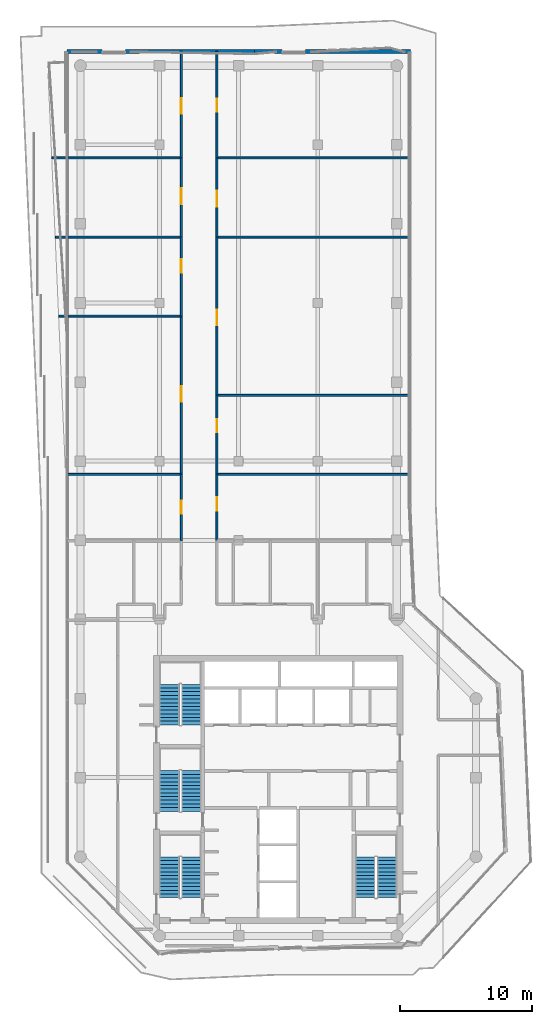
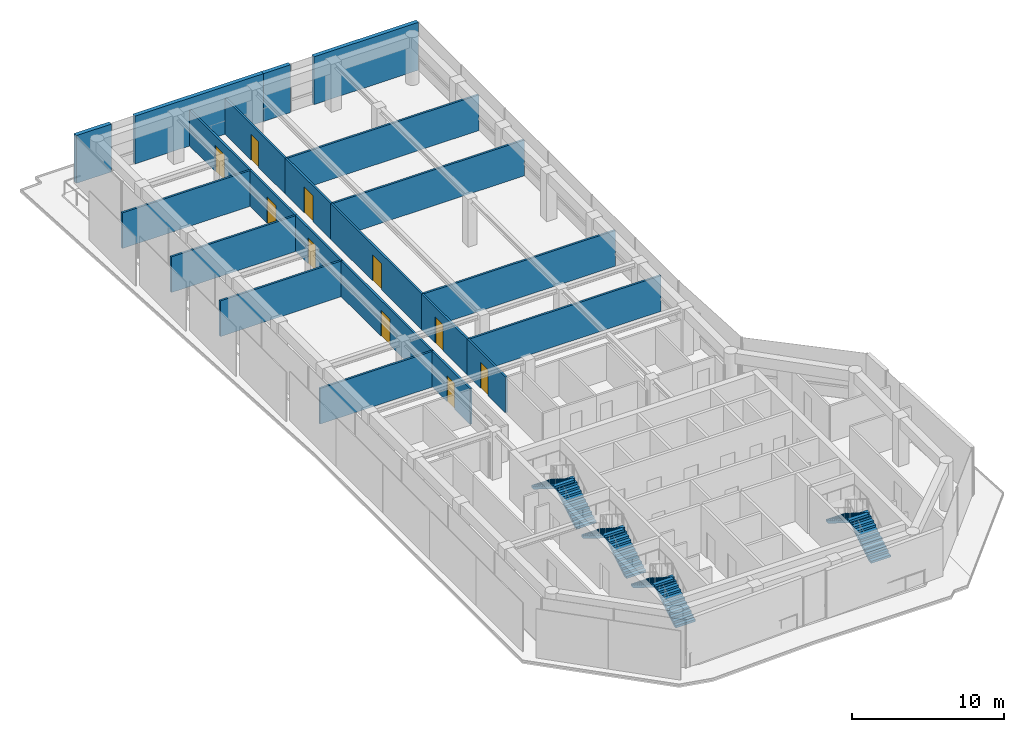
# One storey, part 19 of 21: 22 walls, 10 doors, 8 stair flights, 10 openings, 4 elements without a shape of their own.
"""IFC4 building model written with IfcOpenShell, lengths in metres."""

from ifc_helpers import new_model, si_unit, direction, frame, frame_2d, origin, place, context, subcontext, project, spatial, polyline, rectangle, outline, extrude, material, layer, layer_set, type_object, element, fill, aggregate, save


model = new_model("IFC4")

# Units and contexts
model_context = context("Model", 3, precision=1e-05, world=origin(), true_north=direction((0.0, 1.0)))
body_context = subcontext(model_context, "Body", "Model", "MODEL_VIEW")
ifc_project = project(units=[si_unit("LENGTHUNIT", "METRE"), si_unit("AREAUNIT", "SQUARE_METRE"), si_unit("VOLUMEUNIT", "CUBIC_METRE"), si_unit("PLANEANGLEUNIT", "RADIAN"), si_unit("MASSUNIT", "GRAM", prefix="KILO")], contexts=[model_context])

# Site, building, storey
site_placement = place(None, origin())
site = spatial("IfcSite", under=ifc_project, at=site_placement, CompositionType="ELEMENT")
building_placement = place(site_placement, origin())
building = spatial("IfcBuilding", under=site, at=building_placement, Name="Welwitschia Terrace Campus", CompositionType="ELEMENT")
storey_placement = place(building_placement, frame((0.0, 0.0, 218.0)))
storey = spatial("IfcBuildingStorey", under=building, at=storey_placement, Name="L48", CompositionType="ELEMENT", Elevation=218.0)

# Walls
ifc_material_1 = material(Name="Gypsum board on steel studs", Category="steel")
ifc_layer_1 = layer(ifc_material_1, 0.14990234375)
ifc_layer_set_1 = layer_set([ifc_layer_1], Name="Gypsum board on steel studs")
wall_type_1 = type_object("IfcWallType", Name="Corridor partition 150 EI 30", PredefinedType="PARTITIONING", material=ifc_layer_set_1)
wall_1_placement = place(storey_placement, frame((-2.159912109375, 63.0, 0.0), z_axis=(0.0, 0.0, 1.0), x_axis=(1.0, 0.0, 0.0)))
element("IfcWall", 1, at=wall_1_placement, inside=storey, type_object=wall_type_1, Name="Partition", PredefinedType="PARTITIONING", context=body_context, shape_type="SweptSolid", body=[
    extrude(rectangle(XDim=9.809814453125, YDim=0.14990234375, at=frame_2d((4.90478515625, 0.0))), origin(), (0.0, 0.0, 1.0), 2.8798828125),
])
wall_2_placement = place(storey_placement, frame((-1.889892578125, 57.0, 0.0), z_axis=(0.0, 0.0, 1.0), x_axis=(1.0, 0.0, 0.0)))
element("IfcWall", 2, at=wall_2_placement, inside=storey, type_object=wall_type_1, Name="Partition", PredefinedType="PARTITIONING", context=body_context, shape_type="SweptSolid", body=[
    extrude(rectangle(XDim=9.539794921875, YDim=0.14990234375, at=frame_2d((4.77001953125, 0.0))), origin(), (0.0, 0.0, 1.0), 2.8798828125),
])
wall_3_placement = place(storey_placement, frame((-1.6298828125, 51.0, 0.0), z_axis=(0.0, 0.0, 1.0), x_axis=(1.0, 0.0, 0.0)))
element("IfcWall", 3, at=wall_3_placement, inside=storey, type_object=wall_type_1, Name="Partition", PredefinedType="PARTITIONING", context=body_context, shape_type="SweptSolid", body=[
    extrude(rectangle(XDim=9.27978515625, YDim=0.14990234375, at=frame_2d((4.639892578125, 0.0))), origin(), (0.0, 0.0, 1.0), 2.8798828125),
])
wall_4_placement = place(storey_placement, frame((-0.969970703125, 39.0, 0.0), z_axis=(0.0, 0.0, 1.0), x_axis=(1.0, 0.0, 0.0)))
element("IfcWall", 4, at=wall_4_placement, inside=storey, type_object=wall_type_1, Name="Partition", PredefinedType="PARTITIONING", context=body_context, shape_type="SweptSolid", body=[
    extrude(rectangle(XDim=8.619873046875, YDim=0.14990234375, at=frame_2d((4.31005859375, 0.0))), origin(), (0.0, 0.0, 1.0), 2.8798828125),
])

# Wall, opening, door
wall_5_placement = place(storey_placement, frame((7.64990234375, 33.949951171875, 0.0), z_axis=(0.0, 0.0, 1.0), x_axis=(0.0, 1.0, 0.0)))
wall_5 = element("IfcWall", 5, at=wall_5_placement, inside=storey, type_object=wall_type_1, Name="Partition", PredefinedType="PARTITIONING", context=body_context, shape_type="SweptSolid", body=[
    extrude(rectangle(XDim=5.050048828125, YDim=0.14990234375, at=frame_2d((2.52490234375, 0.0))), origin(), (0.0, 0.0, 1.0), 2.8798828125),
])
opening_1_placement = place(wall_5_placement, frame((2.050048828125, 0.0, 0.0)))
opening_1 = element("IfcOpeningElement", 6, at=opening_1_placement, cuts=wall_5, Name="Opening DI10", PredefinedType="OPENING", context=body_context, shape_type="SweptSolid", body=[
    extrude(rectangle(XDim=1.0, YDim=2.10009765625, at=frame_2d((0.5, 1.050048828125))), frame((0.0, 0.0849609375, 0.0), z_axis=(0.0, -1.0, 0.0), x_axis=(1.0, 0.0, 0.0)), (0.0, 0.0, 1.0), 0.169921875),
])
ifc_material_2 = material(Name="Timber veneered door", Category="wood")
door_type_1 = type_object("IfcDoorType", Name="Interior door DI10", OperationType="NOTDEFINED", PredefinedType="DOOR", material=ifc_material_2)
door_1_placement = place(opening_1_placement, origin())
door_1 = element("IfcDoor", 7, at=door_1_placement, inside=storey, type_object=door_type_1, Name="Door L48 899", OperationType="SINGLE_SWING_RIGHT", OverallHeight=2.10009765625, OverallWidth=1.0, PredefinedType="DOOR", context=body_context, shape_type="SweptSolid", body=[
    extrude(rectangle(XDim=1.0, YDim=2.10009765625, at=frame_2d((0.5, 1.050048828125))), frame((0.0, 0.02490234375, 0.0), z_axis=(0.0, -1.0, 0.0), x_axis=(1.0, 0.0, 0.0)), (0.0, 0.0, 1.0), 0.050048828125),
])
fill(opening_1, door_1)

wall_6_placement = place(storey_placement, frame((7.64990234375, 51.0, 0.0), z_axis=(0.0, 0.0, 1.0), x_axis=(0.0, -1.0, 0.0)))
wall_6 = element("IfcWall", 8, at=wall_6_placement, inside=storey, type_object=wall_type_1, Name="Partition", PredefinedType="PARTITIONING", context=body_context, shape_type="SweptSolid", body=[
    extrude(rectangle(XDim=12.0, YDim=0.14990234375, at=frame_2d((6.0, 0.0))), origin(), (0.0, 0.0, 1.0), 2.8798828125),
])
opening_2_placement = place(wall_6_placement, frame((5.300048828125, 0.0, 0.0)))
opening_2 = element("IfcOpeningElement", 9, at=opening_2_placement, cuts=wall_6, Name="Opening DI12", PredefinedType="OPENING", context=body_context, shape_type="SweptSolid", body=[
    extrude(rectangle(XDim=1.199951171875, YDim=2.10009765625, at=frame_2d((0.60009765625, 1.050048828125))), frame((0.0, 0.0849609375, 0.0), z_axis=(0.0, -1.0, 0.0), x_axis=(1.0, 0.0, 0.0)), (0.0, 0.0, 1.0), 0.169921875),
])
ifc_material_3 = material(Name="Timber veneered door", Category="wood")
door_type_2 = type_object("IfcDoorType", Name="Interior door DI12", OperationType="NOTDEFINED", PredefinedType="DOOR", material=ifc_material_3)
door_2_placement = place(opening_2_placement, origin())
door_2 = element("IfcDoor", 10, at=door_2_placement, inside=storey, type_object=door_type_2, Name="Door L48 900", OperationType="SINGLE_SWING_LEFT", OverallHeight=2.10009765625, OverallWidth=1.199951171875, PredefinedType="DOOR", context=body_context, shape_type="SweptSolid", body=[
    extrude(rectangle(XDim=1.199951171875, YDim=2.10009765625, at=frame_2d((0.60009765625, 1.050048828125))), frame((0.0, 0.02490234375, 0.0), z_axis=(0.0, -1.0, 0.0), x_axis=(1.0, 0.0, 0.0)), (0.0, 0.0, 1.0), 0.050048828125),
])
fill(opening_2, door_2)

wall_7_placement = place(storey_placement, frame((7.64990234375, 51.0, 0.0), z_axis=(0.0, 0.0, 1.0), x_axis=(0.0, 1.0, 0.0)))
wall_7 = element("IfcWall", 11, at=wall_7_placement, inside=storey, type_object=wall_type_1, Name="Partition", PredefinedType="PARTITIONING", context=body_context, shape_type="SweptSolid", body=[
    extrude(rectangle(XDim=6.0, YDim=0.14990234375, at=frame_2d((3.0, 0.0))), origin(), (0.0, 0.0, 1.0), 2.8798828125),
])
opening_3_placement = place(wall_7_placement, frame((3.300048828125, 0.0, 0.0)))
opening_3 = element("IfcOpeningElement", 12, at=opening_3_placement, cuts=wall_7, Name="Opening DI10", PredefinedType="OPENING", context=body_context, shape_type="SweptSolid", body=[
    extrude(rectangle(XDim=1.0, YDim=2.10009765625, at=frame_2d((0.5, 1.050048828125))), frame((0.0, 0.0849609375, 0.0), z_axis=(0.0, -1.0, 0.0), x_axis=(1.0, 0.0, 0.0)), (0.0, 0.0, 1.0), 0.169921875),
])
door_3_placement = place(opening_3_placement, origin())
door_3 = element("IfcDoor", 13, at=door_3_placement, inside=storey, type_object=door_type_1, Name="Door L48 901", OperationType="SINGLE_SWING_RIGHT", OverallHeight=2.10009765625, OverallWidth=1.0, PredefinedType="DOOR", context=body_context, shape_type="SweptSolid", body=[
    extrude(rectangle(XDim=1.0, YDim=2.10009765625, at=frame_2d((0.5, 1.050048828125))), frame((0.0, 0.02490234375, 0.0), z_axis=(0.0, -1.0, 0.0), x_axis=(1.0, 0.0, 0.0)), (0.0, 0.0, 1.0), 0.050048828125),
])
fill(opening_3, door_3)

wall_8_placement = place(storey_placement, frame((7.64990234375, 63.0, 0.0), z_axis=(0.0, 0.0, 1.0), x_axis=(0.0, -1.0, 0.0)))
wall_8 = element("IfcWall", 14, at=wall_8_placement, inside=storey, type_object=wall_type_1, Name="Partition", PredefinedType="PARTITIONING", context=body_context, shape_type="SweptSolid", body=[
    extrude(rectangle(XDim=6.0, YDim=0.14990234375, at=frame_2d((3.0, 0.0))), origin(), (0.0, 0.0, 1.0), 2.8798828125),
])
opening_4_placement = place(wall_8_placement, frame((2.300048828125, 0.0, 0.0)))
opening_4 = element("IfcOpeningElement", 15, at=opening_4_placement, cuts=wall_8, Name="Opening DI12", PredefinedType="OPENING", context=body_context, shape_type="SweptSolid", body=[
    extrude(rectangle(XDim=1.199951171875, YDim=2.10009765625, at=frame_2d((0.60009765625, 1.050048828125))), frame((0.0, 0.0849609375, 0.0), z_axis=(0.0, -1.0, 0.0), x_axis=(1.0, 0.0, 0.0)), (0.0, 0.0, 1.0), 0.169921875),
])
door_4_placement = place(opening_4_placement, origin())
door_4 = element("IfcDoor", 16, at=door_4_placement, inside=storey, type_object=door_type_2, Name="Door L48 902", OperationType="SINGLE_SWING_LEFT", OverallHeight=2.10009765625, OverallWidth=1.199951171875, PredefinedType="DOOR", context=body_context, shape_type="SweptSolid", body=[
    extrude(rectangle(XDim=1.199951171875, YDim=2.10009765625, at=frame_2d((0.60009765625, 1.050048828125))), frame((0.0, 0.02490234375, 0.0), z_axis=(0.0, -1.0, 0.0), x_axis=(1.0, 0.0, 0.0)), (0.0, 0.0, 1.0), 0.050048828125),
])
fill(opening_4, door_4)

wall_9_placement = place(storey_placement, frame((7.64990234375, 71.090087890625, 0.0), z_axis=(0.0, 0.0, 1.0), x_axis=(0.0, -1.0, 0.0)))
wall_9 = element("IfcWall", 17, at=wall_9_placement, inside=storey, type_object=wall_type_1, Name="Partition", PredefinedType="PARTITIONING", context=body_context, shape_type="SweptSolid", body=[
    extrude(rectangle(XDim=8.090087890625, YDim=0.14990234375, at=frame_2d((4.044921875, 0.0))), origin(), (0.0, 0.0, 1.0), 2.8798828125),
])
opening_5_placement = place(wall_9_placement, frame((3.550048828125, 0.0, 0.0)))
opening_5 = element("IfcOpeningElement", 18, at=opening_5_placement, cuts=wall_9, Name="Opening DI12", PredefinedType="OPENING", context=body_context, shape_type="SweptSolid", body=[
    extrude(rectangle(XDim=1.199951171875, YDim=2.10009765625, at=frame_2d((0.60009765625, 1.050048828125))), frame((0.0, 0.0849609375, 0.0), z_axis=(0.0, -1.0, 0.0), x_axis=(1.0, 0.0, 0.0)), (0.0, 0.0, 1.0), 0.169921875),
])
door_5_placement = place(opening_5_placement, origin())
door_5 = element("IfcDoor", 19, at=door_5_placement, inside=storey, type_object=door_type_2, Name="Door L48 903", OperationType="SINGLE_SWING_RIGHT", OverallHeight=2.10009765625, OverallWidth=1.199951171875, PredefinedType="DOOR", context=body_context, shape_type="SweptSolid", body=[
    extrude(rectangle(XDim=1.199951171875, YDim=2.10009765625, at=frame_2d((0.60009765625, 1.050048828125))), frame((0.0, 0.02490234375, 0.0), z_axis=(0.0, -1.0, 0.0), x_axis=(1.0, 0.0, 0.0)), (0.0, 0.0, 1.0), 0.050048828125),
])
fill(opening_5, door_5)

wall_10_placement = place(storey_placement, frame((10.35009765625, 39.0, 0.0), z_axis=(0.0, 0.0, 1.0), x_axis=(0.0, -1.0, 0.0)))
wall_10 = element("IfcWall", 20, at=wall_10_placement, inside=storey, type_object=wall_type_1, Name="Partition", PredefinedType="PARTITIONING", context=body_context, shape_type="SweptSolid", body=[
    extrude(rectangle(XDim=5.050048828125, YDim=0.14990234375, at=frame_2d((2.52490234375, 0.0))), origin(), (0.0, 0.0, 1.0), 2.8798828125),
])
opening_6_placement = place(wall_10_placement, frame((1.75, 0.0, 0.0)))
opening_6 = element("IfcOpeningElement", 21, at=opening_6_placement, cuts=wall_10, Name="Opening DI10", PredefinedType="OPENING", context=body_context, shape_type="SweptSolid", body=[
    extrude(rectangle(XDim=1.0, YDim=2.10009765625, at=frame_2d((0.5, 1.050048828125))), frame((0.0, 0.0849609375, 0.0), z_axis=(0.0, -1.0, 0.0), x_axis=(1.0, 0.0, 0.0)), (0.0, 0.0, 1.0), 0.169921875),
])
door_6_placement = place(opening_6_placement, origin())
door_6 = element("IfcDoor", 22, at=door_6_placement, inside=storey, type_object=door_type_1, Name="Door L48 904", OperationType="SINGLE_SWING_LEFT", OverallHeight=2.10009765625, OverallWidth=1.0, PredefinedType="DOOR", context=body_context, shape_type="SweptSolid", body=[
    extrude(rectangle(XDim=1.0, YDim=2.10009765625, at=frame_2d((0.5, 1.050048828125))), frame((0.0, 0.02490234375, 0.0), z_axis=(0.0, -1.0, 0.0), x_axis=(1.0, 0.0, 0.0)), (0.0, 0.0, 1.0), 0.050048828125),
])
fill(opening_6, door_6)

# Wall
wall_11_placement = place(storey_placement, frame((10.35009765625, 39.0, 0.0), z_axis=(0.0, 0.0, 1.0), x_axis=(1.0, 0.0, 0.0)))
element("IfcWall", 23, at=wall_11_placement, inside=storey, type_object=wall_type_1, Name="Partition", PredefinedType="PARTITIONING", context=body_context, shape_type="SweptSolid", body=[
    extrude(rectangle(XDim=14.6298828125, YDim=0.14990234375, at=frame_2d((7.31494140625, 0.0))), origin(), (0.0, 0.0, 1.0), 2.8798828125),
])

# Wall, opening, door
wall_12_placement = place(storey_placement, frame((10.35009765625, 45.0, 0.0), z_axis=(0.0, 0.0, 1.0), x_axis=(0.0, -1.0, 0.0)))
wall_12 = element("IfcWall", 24, at=wall_12_placement, inside=storey, type_object=wall_type_1, Name="Partition", PredefinedType="PARTITIONING", context=body_context, shape_type="SweptSolid", body=[
    extrude(rectangle(XDim=6.0, YDim=0.14990234375, at=frame_2d((3.0, 0.0))), origin(), (0.0, 0.0, 1.0), 2.8798828125),
])
opening_7_placement = place(wall_12_placement, frame((1.800048828125, 0.0, 0.0)))
opening_7 = element("IfcOpeningElement", 25, at=opening_7_placement, cuts=wall_12, Name="Opening DI10", PredefinedType="OPENING", context=body_context, shape_type="SweptSolid", body=[
    extrude(rectangle(XDim=1.0, YDim=2.10009765625, at=frame_2d((0.5, 1.050048828125))), frame((0.0, 0.0849609375, 0.0), z_axis=(0.0, -1.0, 0.0), x_axis=(1.0, 0.0, 0.0)), (0.0, 0.0, 1.0), 0.169921875),
])
door_7_placement = place(opening_7_placement, origin())
door_7 = element("IfcDoor", 26, at=door_7_placement, inside=storey, type_object=door_type_1, Name="Door L48 905", OperationType="SINGLE_SWING_RIGHT", OverallHeight=2.10009765625, OverallWidth=1.0, PredefinedType="DOOR", context=body_context, shape_type="SweptSolid", body=[
    extrude(rectangle(XDim=1.0, YDim=2.10009765625, at=frame_2d((0.5, 1.050048828125))), frame((0.0, 0.02490234375, 0.0), z_axis=(0.0, -1.0, 0.0), x_axis=(1.0, 0.0, 0.0)), (0.0, 0.0, 1.0), 0.050048828125),
])
fill(opening_7, door_7)

wall_13_placement = place(storey_placement, frame((10.35009765625, 45.0, 0.0), z_axis=(0.0, 0.0, 1.0), x_axis=(0.0, 1.0, 0.0)))
wall_13 = element("IfcWall", 27, at=wall_13_placement, inside=storey, type_object=wall_type_1, Name="Partition", PredefinedType="PARTITIONING", context=body_context, shape_type="SweptSolid", body=[
    extrude(rectangle(XDim=12.0, YDim=0.14990234375, at=frame_2d((6.0, 0.0))), origin(), (0.0, 0.0, 1.0), 2.8798828125),
])
opening_8_placement = place(wall_13_placement, frame((5.300048828125, 0.0, 0.0)))
opening_8 = element("IfcOpeningElement", 28, at=opening_8_placement, cuts=wall_13, Name="Opening DI12", PredefinedType="OPENING", context=body_context, shape_type="SweptSolid", body=[
    extrude(rectangle(XDim=1.199951171875, YDim=2.10009765625, at=frame_2d((0.60009765625, 1.050048828125))), frame((0.0, 0.0849609375, 0.0), z_axis=(0.0, -1.0, 0.0), x_axis=(1.0, 0.0, 0.0)), (0.0, 0.0, 1.0), 0.169921875),
])
door_8_placement = place(opening_8_placement, origin())
door_8 = element("IfcDoor", 29, at=door_8_placement, inside=storey, type_object=door_type_2, Name="Door L48 906", OperationType="SINGLE_SWING_LEFT", OverallHeight=2.10009765625, OverallWidth=1.199951171875, PredefinedType="DOOR", context=body_context, shape_type="SweptSolid", body=[
    extrude(rectangle(XDim=1.199951171875, YDim=2.10009765625, at=frame_2d((0.60009765625, 1.050048828125))), frame((0.0, 0.02490234375, 0.0), z_axis=(0.0, -1.0, 0.0), x_axis=(1.0, 0.0, 0.0)), (0.0, 0.0, 1.0), 0.050048828125),
])
fill(opening_8, door_8)

# Wall
wall_14_placement = place(storey_placement, frame((10.35009765625, 45.0, 0.0), z_axis=(0.0, 0.0, 1.0), x_axis=(1.0, 0.0, 0.0)))
element("IfcWall", 30, at=wall_14_placement, inside=storey, type_object=wall_type_1, Name="Partition", PredefinedType="PARTITIONING", context=body_context, shape_type="SweptSolid", body=[
    extrude(rectangle(XDim=14.6298828125, YDim=0.14990234375, at=frame_2d((7.31494140625, 0.0))), origin(), (0.0, 0.0, 1.0), 2.8798828125),
])

# Wall, opening, door
wall_15_placement = place(storey_placement, frame((10.35009765625, 57.0, 0.0), z_axis=(0.0, 0.0, 1.0), x_axis=(0.0, 1.0, 0.0)))
wall_15 = element("IfcWall", 31, at=wall_15_placement, inside=storey, type_object=wall_type_1, Name="Partition", PredefinedType="PARTITIONING", context=body_context, shape_type="SweptSolid", body=[
    extrude(rectangle(XDim=6.0, YDim=0.14990234375, at=frame_2d((3.0, 0.0))), origin(), (0.0, 0.0, 1.0), 2.8798828125),
])
opening_9_placement = place(wall_15_placement, frame((2.300048828125, 0.0, 0.0)))
opening_9 = element("IfcOpeningElement", 32, at=opening_9_placement, cuts=wall_15, Name="Opening DI12", PredefinedType="OPENING", context=body_context, shape_type="SweptSolid", body=[
    extrude(rectangle(XDim=1.199951171875, YDim=2.10009765625, at=frame_2d((0.60009765625, 1.050048828125))), frame((0.0, 0.0849609375, 0.0), z_axis=(0.0, -1.0, 0.0), x_axis=(1.0, 0.0, 0.0)), (0.0, 0.0, 1.0), 0.169921875),
])
door_9_placement = place(opening_9_placement, origin())
door_9 = element("IfcDoor", 33, at=door_9_placement, inside=storey, type_object=door_type_2, Name="Door L48 907", OperationType="SINGLE_SWING_RIGHT", OverallHeight=2.10009765625, OverallWidth=1.199951171875, PredefinedType="DOOR", context=body_context, shape_type="SweptSolid", body=[
    extrude(rectangle(XDim=1.199951171875, YDim=2.10009765625, at=frame_2d((0.60009765625, 1.050048828125))), frame((0.0, 0.02490234375, 0.0), z_axis=(0.0, -1.0, 0.0), x_axis=(1.0, 0.0, 0.0)), (0.0, 0.0, 1.0), 0.050048828125),
])
fill(opening_9, door_9)

# Walls
for number, where, z_axis, x_axis, name in (
    (34, (10.35009765625, 57.0, 0.0), (0.0, 0.0, 1.0), (1.0, 0.0, 0.0), "Partition"),
    (35, (10.35009765625, 63.0, 0.0), (0.0, 0.0, 1.0), (1.0, 0.0, 0.0), "Partition"),
):
    element("IfcWall", number, at=place(storey_placement, frame(where, z_axis=z_axis, x_axis=x_axis)), inside=storey, type_object=wall_type_1, Name=name, PredefinedType="PARTITIONING", context=body_context, shape_type="SweptSolid", body=[
        extrude(rectangle(XDim=14.6298828125, YDim=0.14990234375, at=frame_2d((7.31494140625, 0.0))), origin(), (0.0, 0.0, 1.0), 2.8798828125),
    ])

# Wall, opening, door
wall_16_placement = place(storey_placement, frame((10.35009765625, 71.090087890625, 0.0), z_axis=(0.0, 0.0, 1.0), x_axis=(0.0, -1.0, 0.0)))
wall_16 = element("IfcWall", 36, at=wall_16_placement, inside=storey, type_object=wall_type_1, Name="Partition", PredefinedType="PARTITIONING", context=body_context, shape_type="SweptSolid", body=[
    extrude(rectangle(XDim=8.090087890625, YDim=0.14990234375, at=frame_2d((4.044921875, 0.0))), origin(), (0.0, 0.0, 1.0), 2.8798828125),
])
opening_10_placement = place(wall_16_placement, frame((3.590087890625, 0.0, 0.0)))
opening_10 = element("IfcOpeningElement", 37, at=opening_10_placement, cuts=wall_16, Name="Opening DI10", PredefinedType="OPENING", context=body_context, shape_type="SweptSolid", body=[
    extrude(rectangle(XDim=1.0, YDim=2.10009765625, at=frame_2d((0.5, 1.050048828125))), frame((0.0, 0.0849609375, 0.0), z_axis=(0.0, -1.0, 0.0), x_axis=(1.0, 0.0, 0.0)), (0.0, 0.0, 1.0), 0.169921875),
])
door_10_placement = place(opening_10_placement, origin())
door_10 = element("IfcDoor", 38, at=door_10_placement, inside=storey, type_object=door_type_1, Name="Door L48 908", OperationType="SINGLE_SWING_LEFT", OverallHeight=2.10009765625, OverallWidth=1.0, PredefinedType="DOOR", context=body_context, shape_type="SweptSolid", body=[
    extrude(rectangle(XDim=1.0, YDim=2.10009765625, at=frame_2d((0.5, 1.050048828125))), frame((0.0, 0.02490234375, 0.0), z_axis=(0.0, -1.0, 0.0), x_axis=(1.0, 0.0, 0.0)), (0.0, 0.0, 1.0), 0.050048828125),
])
fill(opening_10, door_10)

# Walls
ifc_material_4 = material(Name="Concrete C40/50", Category="concrete")
ifc_layer_2 = layer(ifc_material_4, 0.300048828125)
ifc_layer_set_2 = layer_set([ifc_layer_2], Name="Concrete C40/50")
wall_type_2 = type_object("IfcWallType", Name="Mass wall 300", PredefinedType="SOLIDWALL", material=ifc_layer_set_2)
wall_17_placement = place(storey_placement, frame((25.030029296875, 71.0810546875, 0.0), z_axis=(0.0, 0.0, 1.0), x_axis=(-0.99999979256, 0.000644112371, 0.0)))
element("IfcWall", 39, at=wall_17_placement, inside=storey, type_object=wall_type_2, Name="Mass wall L48.7.0", PredefinedType="SOLIDWALL", context=body_context, shape_type="SweptSolid", body=[
    extrude(rectangle(XDim=7.959716796875, YDim=0.300048828125, at=frame_2d((3.97998046875, 0.0))), origin(), (0.0, 0.0, 1.0), 3.85009765625),
])
wall_18_placement = place(storey_placement, frame((15.2705078125, 71.078857421875, 0.0), z_axis=(0.0, 0.0, 1.0), x_axis=(-0.999999823309, 0.000594459531, 0.0)))
element("IfcWall", 40, at=wall_18_placement, inside=storey, type_object=wall_type_2, Name="Mass wall L48.7.1", PredefinedType="SOLIDWALL", context=body_context, shape_type="SweptSolid", body=[
    extrude(rectangle(XDim=2.053466796875, YDim=0.300048828125, at=frame_2d((1.02685546875, 0.0))), origin(), (0.0, 0.0, 1.0), 3.85009765625),
])
wall_19_placement = place(storey_placement, frame((13.217041015625, 71.080078125, 0.0), z_axis=(0.0, 0.0, 1.0), x_axis=(-1.0, 0.0, 0.0)))
element("IfcWall", 41, at=wall_19_placement, inside=storey, type_object=wall_type_2, Name="Mass wall L48.8.0", PredefinedType="SOLIDWALL", context=body_context, shape_type="SweptSolid", body=[
    extrude(rectangle(XDim=9.78515625, YDim=0.300048828125, at=frame_2d((4.892578125, 0.0))), origin(), (0.0, 0.0, 1.0), 3.85009765625),
])
wall_20_placement = place(storey_placement, frame((1.6318359375, 71.078125, 0.0), z_axis=(0.0, 0.0, 1.0), x_axis=(-1.0, 0.0, 0.0)))
element("IfcWall", 42, at=wall_20_placement, inside=storey, type_object=wall_type_2, Name="Mass wall L48.8.1", PredefinedType="SOLIDWALL", context=body_context, shape_type="SweptSolid", body=[
    extrude(rectangle(XDim=2.661865234375, YDim=0.300048828125, at=frame_2d((1.3310546875, 0.0))), origin(), (0.0, 0.0, 1.0), 3.85009765625),
])

# Stair, stair flights
ifc_material_5 = material(Name="Concrete C40/50", Category="concrete")
stair_type = type_object("IfcStairType", Name="Stair 24R 175 W1500", PredefinedType="HALF_TURN_STAIR", material=ifc_material_5)
stair_1_placement = place(storey_placement, origin())
stair_1 = element("IfcStair", 43, at=stair_1_placement, inside=storey, type_object=stair_type, Name="L48 Exit stair S1", PredefinedType="HALF_TURN_STAIR")
ifc_material_6 = material(Name="Concrete C40/50", Category="concrete")
stair_flight_type = type_object("IfcStairFlightType", Name="Stair flight 24R 175 W1500", PredefinedType="STRAIGHT", material=ifc_material_6)
stair_flight_1_placement = place(storey_placement, frame((8.39990234375, 6.89990234375, 0.0), z_axis=(0.0, 0.0, 1.0), x_axis=(0.0, 1.0, 0.0)))
stair_flight_1 = element("IfcStairFlight", 44, at=stair_flight_1_placement, type_object=stair_flight_type, Name="S1 flight 1", NumberOfRisers=12, NumberOfTreads=11, PredefinedType="STRAIGHT", RiserHeight=0.175, TreadLength=0.28, context=body_context, shape_type="SweptSolid", body=[
    extrude(outline(polyline([(0.0, 0.0), (0.0, 0.175048828125), (0.280029296875, 0.175048828125), (0.280029296875, 0.35009765625), (0.56005859375, 0.35009765625), (0.56005859375, 0.52490234375), (0.840087890625, 0.52490234375), (0.840087890625, 0.699951171875), (1.1201171875, 0.699951171875), (1.1201171875, 0.875), (1.39990234375, 0.875), (1.39990234375, 1.050048828125), (1.679931640625, 1.050048828125), (1.679931640625, 1.22509765625), (1.9599609375, 1.22509765625), (1.9599609375, 1.39990234375), (2.239990234375, 1.39990234375), (2.239990234375, 1.574951171875), (2.52001953125, 1.574951171875), (2.52001953125, 1.75), (2.800048828125, 1.75), (2.800048828125, 1.925048828125), (3.080078125, 1.925048828125), (3.080078125, 2.10009765625), (3.080078125, 1.748291015625), (0.28271484375, 0.0), (0.0, 0.0)])), frame((0.0, 0.75, 0.0), z_axis=(0.0, -1.0, 0.0), x_axis=(1.0, 0.0, 0.0)), (0.0, 0.0, 1.0), 1.5),
])
stair_flight_2_placement = place(storey_placement, frame((6.75, 9.97998046875, 2.10009765625), z_axis=(0.0, 0.0, 1.0), x_axis=(0.0, -1.0, 0.0)))
stair_flight_2 = element("IfcStairFlight", 45, at=stair_flight_2_placement, type_object=stair_flight_type, Name="S1 flight 2", NumberOfRisers=12, NumberOfTreads=11, PredefinedType="STRAIGHT", RiserHeight=0.175, TreadLength=0.28, context=body_context, shape_type="SweptSolid", body=[
    extrude(outline(polyline([(0.0, 0.0), (0.0, 0.175048828125), (0.280029296875, 0.175048828125), (0.280029296875, 0.35009765625), (0.56005859375, 0.35009765625), (0.56005859375, 0.52490234375), (0.840087890625, 0.52490234375), (0.840087890625, 0.699951171875), (1.1201171875, 0.699951171875), (1.1201171875, 0.875), (1.39990234375, 0.875), (1.39990234375, 1.050048828125), (1.679931640625, 1.050048828125), (1.679931640625, 1.22509765625), (1.9599609375, 1.22509765625), (1.9599609375, 1.39990234375), (2.239990234375, 1.39990234375), (2.239990234375, 1.574951171875), (2.52001953125, 1.574951171875), (2.52001953125, 1.75), (2.800048828125, 1.75), (2.800048828125, 1.925048828125), (3.080078125, 1.925048828125), (3.080078125, 2.10009765625), (3.080078125, 1.748291015625), (0.28271484375, 0.0), (0.0, 0.0)])), frame((0.0, 0.75, 0.0), z_axis=(0.0, -1.0, 0.0), x_axis=(1.0, 0.0, 0.0)), (0.0, 0.0, 1.0), 1.5),
])
aggregate(stair_1, [stair_flight_1, stair_flight_2])

stair_2_placement = place(storey_placement, origin())
stair_2 = element("IfcStair", 46, at=stair_2_placement, inside=storey, type_object=stair_type, Name="L48 Exit stair S3", PredefinedType="HALF_TURN_STAIR")
stair_flight_3_placement = place(storey_placement, frame((8.39990234375, 13.449951171875, 0.0), z_axis=(0.0, 0.0, 1.0), x_axis=(0.0, 1.0, 0.0)))
stair_flight_3 = element("IfcStairFlight", 47, at=stair_flight_3_placement, type_object=stair_flight_type, Name="S3 flight 1", NumberOfRisers=12, NumberOfTreads=11, PredefinedType="STRAIGHT", RiserHeight=0.175, TreadLength=0.28, context=body_context, shape_type="SweptSolid", body=[
    extrude(outline(polyline([(0.0, 0.0), (0.0, 0.175048828125), (0.280029296875, 0.175048828125), (0.280029296875, 0.35009765625), (0.56005859375, 0.35009765625), (0.56005859375, 0.52490234375), (0.840087890625, 0.52490234375), (0.840087890625, 0.699951171875), (1.1201171875, 0.699951171875), (1.1201171875, 0.875), (1.39990234375, 0.875), (1.39990234375, 1.050048828125), (1.679931640625, 1.050048828125), (1.679931640625, 1.22509765625), (1.9599609375, 1.22509765625), (1.9599609375, 1.39990234375), (2.239990234375, 1.39990234375), (2.239990234375, 1.574951171875), (2.52001953125, 1.574951171875), (2.52001953125, 1.75), (2.800048828125, 1.75), (2.800048828125, 1.925048828125), (3.080078125, 1.925048828125), (3.080078125, 2.10009765625), (3.080078125, 1.748291015625), (0.28271484375, 0.0), (0.0, 0.0)])), frame((0.0, 0.75, 0.0), z_axis=(0.0, -1.0, 0.0), x_axis=(1.0, 0.0, 0.0)), (0.0, 0.0, 1.0), 1.5),
])
stair_flight_4_placement = place(storey_placement, frame((6.75, 16.530029296875, 2.10009765625), z_axis=(0.0, 0.0, 1.0), x_axis=(0.0, -1.0, 0.0)))
stair_flight_4 = element("IfcStairFlight", 48, at=stair_flight_4_placement, type_object=stair_flight_type, Name="S3 flight 2", NumberOfRisers=12, NumberOfTreads=11, PredefinedType="STRAIGHT", RiserHeight=0.175, TreadLength=0.28, context=body_context, shape_type="SweptSolid", body=[
    extrude(outline(polyline([(0.0, 0.0), (0.0, 0.175048828125), (0.280029296875, 0.175048828125), (0.280029296875, 0.35009765625), (0.56005859375, 0.35009765625), (0.56005859375, 0.52490234375), (0.840087890625, 0.52490234375), (0.840087890625, 0.699951171875), (1.1201171875, 0.699951171875), (1.1201171875, 0.875), (1.39990234375, 0.875), (1.39990234375, 1.050048828125), (1.679931640625, 1.050048828125), (1.679931640625, 1.22509765625), (1.9599609375, 1.22509765625), (1.9599609375, 1.39990234375), (2.239990234375, 1.39990234375), (2.239990234375, 1.574951171875), (2.52001953125, 1.574951171875), (2.52001953125, 1.75), (2.800048828125, 1.75), (2.800048828125, 1.925048828125), (3.080078125, 1.925048828125), (3.080078125, 2.10009765625), (3.080078125, 1.748291015625), (0.28271484375, 0.0), (0.0, 0.0)])), frame((0.0, 0.75, 0.0), z_axis=(0.0, -1.0, 0.0), x_axis=(1.0, 0.0, 0.0)), (0.0, 0.0, 1.0), 1.5),
])
aggregate(stair_2, [stair_flight_3, stair_flight_4])

stair_3_placement = place(storey_placement, origin())
stair_3 = element("IfcStair", 49, at=stair_3_placement, inside=storey, type_object=stair_type, Name="L48 Exit stair S4", PredefinedType="HALF_TURN_STAIR")
stair_flight_5_placement = place(storey_placement, frame((8.39990234375, 20.0, 0.0), z_axis=(0.0, 0.0, 1.0), x_axis=(0.0, 1.0, 0.0)))
stair_flight_5 = element("IfcStairFlight", 50, at=stair_flight_5_placement, type_object=stair_flight_type, Name="S4 flight 1", NumberOfRisers=12, NumberOfTreads=11, PredefinedType="STRAIGHT", RiserHeight=0.175, TreadLength=0.28, context=body_context, shape_type="SweptSolid", body=[
    extrude(outline(polyline([(0.0, 0.0), (0.0, 0.175048828125), (0.280029296875, 0.175048828125), (0.280029296875, 0.35009765625), (0.56005859375, 0.35009765625), (0.56005859375, 0.52490234375), (0.840087890625, 0.52490234375), (0.840087890625, 0.699951171875), (1.1201171875, 0.699951171875), (1.1201171875, 0.875), (1.39990234375, 0.875), (1.39990234375, 1.050048828125), (1.679931640625, 1.050048828125), (1.679931640625, 1.22509765625), (1.9599609375, 1.22509765625), (1.9599609375, 1.39990234375), (2.239990234375, 1.39990234375), (2.239990234375, 1.574951171875), (2.52001953125, 1.574951171875), (2.52001953125, 1.75), (2.800048828125, 1.75), (2.800048828125, 1.925048828125), (3.080078125, 1.925048828125), (3.080078125, 2.10009765625), (3.080078125, 1.748291015625), (0.28271484375, 0.0), (0.0, 0.0)])), frame((0.0, 0.75, 0.0), z_axis=(0.0, -1.0, 0.0), x_axis=(1.0, 0.0, 0.0)), (0.0, 0.0, 1.0), 1.5),
])
stair_flight_6_placement = place(storey_placement, frame((6.75, 23.080078125, 2.10009765625), z_axis=(0.0, 0.0, 1.0), x_axis=(0.0, -1.0, 0.0)))
stair_flight_6 = element("IfcStairFlight", 51, at=stair_flight_6_placement, type_object=stair_flight_type, Name="S4 flight 2", NumberOfRisers=12, NumberOfTreads=11, PredefinedType="STRAIGHT", RiserHeight=0.175, TreadLength=0.28, context=body_context, shape_type="SweptSolid", body=[
    extrude(outline(polyline([(0.0, 0.0), (0.0, 0.175048828125), (0.280029296875, 0.175048828125), (0.280029296875, 0.35009765625), (0.56005859375, 0.35009765625), (0.56005859375, 0.52490234375), (0.840087890625, 0.52490234375), (0.840087890625, 0.699951171875), (1.1201171875, 0.699951171875), (1.1201171875, 0.875), (1.39990234375, 0.875), (1.39990234375, 1.050048828125), (1.679931640625, 1.050048828125), (1.679931640625, 1.22509765625), (1.9599609375, 1.22509765625), (1.9599609375, 1.39990234375), (2.239990234375, 1.39990234375), (2.239990234375, 1.574951171875), (2.52001953125, 1.574951171875), (2.52001953125, 1.75), (2.800048828125, 1.75), (2.800048828125, 1.925048828125), (3.080078125, 1.925048828125), (3.080078125, 2.10009765625), (3.080078125, 1.748291015625), (0.28271484375, 0.0), (0.0, 0.0)])), frame((0.0, 0.75, 0.0), z_axis=(0.0, -1.0, 0.0), x_axis=(1.0, 0.0, 0.0)), (0.0, 0.0, 1.0), 1.5),
])
aggregate(stair_3, [stair_flight_5, stair_flight_6])

stair_4_placement = place(storey_placement, origin())
stair_4 = element("IfcStair", 52, at=stair_4_placement, inside=storey, type_object=stair_type, Name="L48 Exit stair S2", PredefinedType="HALF_TURN_STAIR")
stair_flight_7_placement = place(storey_placement, frame((23.25, 6.89990234375, 0.0), z_axis=(0.0, 0.0, 1.0), x_axis=(0.0, 1.0, 0.0)))
stair_flight_7 = element("IfcStairFlight", 53, at=stair_flight_7_placement, type_object=stair_flight_type, Name="S2 flight 1", NumberOfRisers=12, NumberOfTreads=11, PredefinedType="STRAIGHT", RiserHeight=0.175, TreadLength=0.28, context=body_context, shape_type="SweptSolid", body=[
    extrude(outline(polyline([(0.0, 0.0), (0.0, 0.175048828125), (0.280029296875, 0.175048828125), (0.280029296875, 0.35009765625), (0.56005859375, 0.35009765625), (0.56005859375, 0.52490234375), (0.840087890625, 0.52490234375), (0.840087890625, 0.699951171875), (1.1201171875, 0.699951171875), (1.1201171875, 0.875), (1.39990234375, 0.875), (1.39990234375, 1.050048828125), (1.679931640625, 1.050048828125), (1.679931640625, 1.22509765625), (1.9599609375, 1.22509765625), (1.9599609375, 1.39990234375), (2.239990234375, 1.39990234375), (2.239990234375, 1.574951171875), (2.52001953125, 1.574951171875), (2.52001953125, 1.75), (2.800048828125, 1.75), (2.800048828125, 1.925048828125), (3.080078125, 1.925048828125), (3.080078125, 2.10009765625), (3.080078125, 1.748291015625), (0.28271484375, 0.0), (0.0, 0.0)])), frame((0.0, 0.75, 0.0), z_axis=(0.0, -1.0, 0.0), x_axis=(1.0, 0.0, 0.0)), (0.0, 0.0, 1.0), 1.5),
])
stair_flight_8_placement = place(storey_placement, frame((21.60009765625, 9.97998046875, 2.10009765625), z_axis=(0.0, 0.0, 1.0), x_axis=(0.0, -1.0, 0.0)))
stair_flight_8 = element("IfcStairFlight", 54, at=stair_flight_8_placement, type_object=stair_flight_type, Name="S2 flight 2", NumberOfRisers=12, NumberOfTreads=11, PredefinedType="STRAIGHT", RiserHeight=0.175, TreadLength=0.28, context=body_context, shape_type="SweptSolid", body=[
    extrude(outline(polyline([(0.0, 0.0), (0.0, 0.175048828125), (0.280029296875, 0.175048828125), (0.280029296875, 0.35009765625), (0.56005859375, 0.35009765625), (0.56005859375, 0.52490234375), (0.840087890625, 0.52490234375), (0.840087890625, 0.699951171875), (1.1201171875, 0.699951171875), (1.1201171875, 0.875), (1.39990234375, 0.875), (1.39990234375, 1.050048828125), (1.679931640625, 1.050048828125), (1.679931640625, 1.22509765625), (1.9599609375, 1.22509765625), (1.9599609375, 1.39990234375), (2.239990234375, 1.39990234375), (2.239990234375, 1.574951171875), (2.52001953125, 1.574951171875), (2.52001953125, 1.75), (2.800048828125, 1.75), (2.800048828125, 1.925048828125), (3.080078125, 1.925048828125), (3.080078125, 2.10009765625), (3.080078125, 1.748291015625), (0.28271484375, 0.0), (0.0, 0.0)])), frame((0.0, 0.75, 0.0), z_axis=(0.0, -1.0, 0.0), x_axis=(1.0, 0.0, 0.0)), (0.0, 0.0, 1.0), 1.5),
])
aggregate(stair_4, [stair_flight_7, stair_flight_8])

save(model, "model.ifc")
